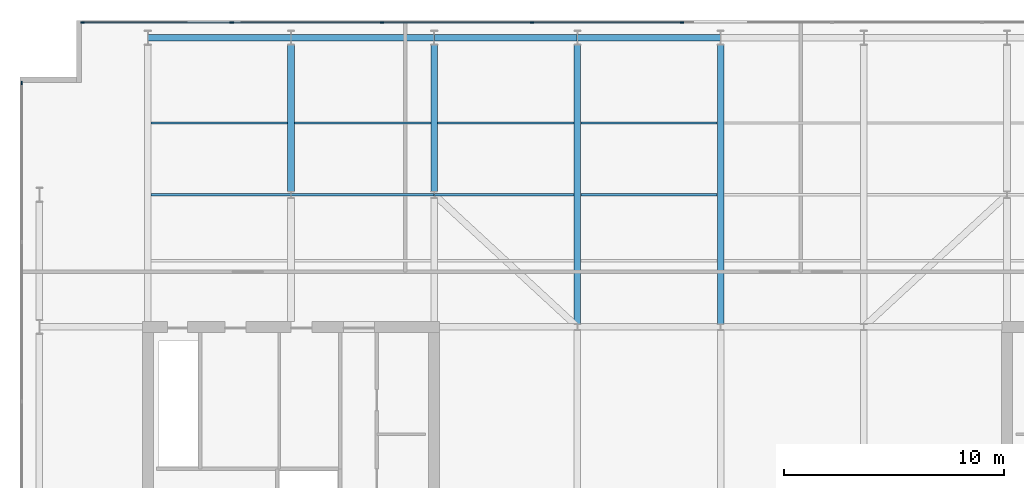
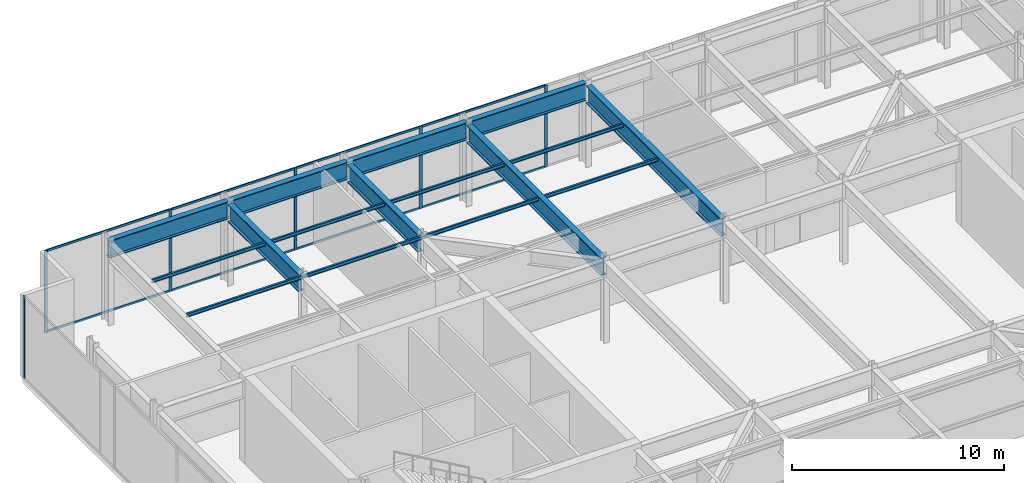
# One storey, part 11 of 23: 16 beams, 14 members, 2 elements without a shape of their own.
"""IFC4 building model written with IfcOpenShell, lengths in metres."""

from ifc_helpers import new_model, si_unit, direction, frame, origin, origin_2d, place, context, subcontext, project, spatial, rectangle, i_section, extrude, material, layer, layer_set, material_profile, profile_set, type_object, element, aggregate, save


model = new_model("IFC4")

# Units and contexts
model_context = context("Model", 3, precision=1e-05, world=origin(), true_north=direction((0.0, 1.0)))
body_context = subcontext(model_context, "Body", "Model", "MODEL_VIEW")
ifc_project = project(units=[si_unit("LENGTHUNIT", "METRE"), si_unit("AREAUNIT", "SQUARE_METRE"), si_unit("VOLUMEUNIT", "CUBIC_METRE"), si_unit("PLANEANGLEUNIT", "RADIAN"), si_unit("MASSUNIT", "GRAM", prefix="KILO")], contexts=[model_context])

# Site, building, storey
site_placement = place(None, origin())
site = spatial("IfcSite", under=ifc_project, at=site_placement, CompositionType="ELEMENT")
building_placement = place(site_placement, origin())
building = spatial("IfcBuilding", under=site, at=building_placement, Name="Putna Gate Headquarters", CompositionType="ELEMENT")
storey_placement = place(building_placement, frame((0.0, 0.0, 310.39990234375)))
storey = spatial("IfcBuildingStorey", under=building, at=storey_placement, Name="L78", CompositionType="ELEMENT", Elevation=310.39990234375)

# Beams
ifc_material_1 = material(Name="Steel S355J2", Category="steel")
ifc_material_profile_1 = material_profile(ifc_material_1, i_section(OverallWidth=0.10009765625, OverallDepth=0.199951171875, WebThickness=0.005615234375, FlangeThickness=0.008544921875, at=origin_2d()), Name="Steel S355J2")
ifc_profile_set_1 = profile_set([ifc_material_profile_1], Name="Steel S355J2")
beam_type_1 = type_object("IfcBeamType", Name="BM-SEC-PLT-IPE200", PredefinedType="JOIST", material=ifc_profile_set_1)
beam_1_placement = place(storey_placement, frame((13.155029296875, 39.0, 4.6201171875), z_axis=(1.0, 0.0, 0.0), x_axis=(0.0, 1.0, 0.0)))
element("IfcBeam", 1, at=beam_1_placement, inside=storey, type_object=beam_type_1, Name="L78 North Secondary Beam 1", PredefinedType="JOIST", context=body_context, shape_type="SweptSolid", body=[
    extrude(i_section(OverallWidth=0.10009765625, OverallDepth=0.199951171875, WebThickness=0.005615234375, FlangeThickness=0.008544921875, at=origin_2d()), origin(), (0.0, 0.0, 1.0), 6.3388671875),
])
beam_2_placement = place(storey_placement, frame((13.155029296875, 42.25, 4.6201171875), z_axis=(1.0, 0.0, 0.0), x_axis=(0.0, 1.0, 0.0)))
element("IfcBeam", 2, at=beam_2_placement, inside=storey, type_object=beam_type_1, Name="L78 North Secondary Beam 1", PredefinedType="JOIST", context=body_context, shape_type="SweptSolid", body=[
    extrude(i_section(OverallWidth=0.10009765625, OverallDepth=0.199951171875, WebThickness=0.005615234375, FlangeThickness=0.008544921875, at=origin_2d()), origin(), (0.0, 0.0, 1.0), 6.18994140625),
])
beam_3_placement = place(storey_placement, frame((19.506103515625, 39.0, 4.6201171875), z_axis=(1.0, 0.0, 0.0), x_axis=(0.0, 1.0, 0.0)))
element("IfcBeam", 3, at=beam_3_placement, inside=storey, type_object=beam_type_1, Name="L78 North Secondary Beam 2", PredefinedType="JOIST", context=body_context, shape_type="SweptSolid", body=[
    extrude(i_section(OverallWidth=0.10009765625, OverallDepth=0.199951171875, WebThickness=0.005615234375, FlangeThickness=0.008544921875, at=origin_2d()), origin(), (0.0, 0.0, 1.0), 6.48779296875),
])
beam_4_placement = place(storey_placement, frame((19.655029296875, 42.25, 4.6201171875), z_axis=(1.0, 0.0, 0.0), x_axis=(0.0, 1.0, 0.0)))
element("IfcBeam", 4, at=beam_4_placement, inside=storey, type_object=beam_type_1, Name="L78 North Secondary Beam 2", PredefinedType="JOIST", context=body_context, shape_type="SweptSolid", body=[
    extrude(i_section(OverallWidth=0.10009765625, OverallDepth=0.199951171875, WebThickness=0.005615234375, FlangeThickness=0.008544921875, at=origin_2d()), origin(), (0.0, 0.0, 1.0), 6.18994140625),
])
beam_5_placement = place(storey_placement, frame((26.006103515625, 39.0, 4.6201171875), z_axis=(1.0, 0.0, 0.0), x_axis=(0.0, 1.0, 0.0)))
element("IfcBeam", 5, at=beam_5_placement, inside=storey, type_object=beam_type_1, Name="L78 North Secondary Beam 3", PredefinedType="JOIST", context=body_context, shape_type="SweptSolid", body=[
    extrude(i_section(OverallWidth=0.10009765625, OverallDepth=0.199951171875, WebThickness=0.005615234375, FlangeThickness=0.008544921875, at=origin_2d()), origin(), (0.0, 0.0, 1.0), 6.3388671875),
])
for number, where, z_axis, x_axis, name in (
    (6, (26.155029296875, 42.25, 4.6201171875), (1.0, 0.0, 0.0), (0.0, 1.0, 0.0), "L78 North Secondary Beam 3"),
    (7, (32.655029296875, 39.0, 4.6201171875), (1.0, 0.0, 0.0), (0.0, 1.0, 0.0), "L78 North Secondary Beam 4"),
    (8, (32.655029296875, 42.25, 4.6201171875), (1.0, 0.0, 0.0), (0.0, 1.0, 0.0), "L78 North Secondary Beam 4"),
):
    element("IfcBeam", number, at=place(storey_placement, frame(where, z_axis=z_axis, x_axis=x_axis)), inside=storey, type_object=beam_type_1, Name=name, PredefinedType="JOIST", context=body_context, shape_type="SweptSolid", body=[
        extrude(i_section(OverallWidth=0.10009765625, OverallDepth=0.199951171875, WebThickness=0.005615234375, FlangeThickness=0.008544921875, at=origin_2d()), origin(), (0.0, 0.0, 1.0), 6.18994140625),
    ])
ifc_material_2 = material(Name="Steel S460M", Category="steel")
ifc_material_profile_2 = material_profile(ifc_material_2, i_section(OverallWidth=0.302001953125, OverallDepth=1.008056640625, WebThickness=0.02099609375, FlangeThickness=0.0400390625, at=origin_2d()), Name="Steel S460M")
ifc_profile_set_2 = profile_set([ifc_material_profile_2], Name="Steel S460M")
beam_type_2 = type_object("IfcBeamType", Name="BM-TG-HEM1000", PredefinedType="USERDEFINED", material=ifc_profile_set_2)
for number, where, z_axis, x_axis, name in (
    (9, (19.5, 39.137939453125, 4.216064453125), (0.0, 1.0, 0.0), (-1.0, 0.0, 0.0), "L78 North Primary Girder X19-2"),
    (10, (26.0, 39.137939453125, 4.216064453125), (0.0, 1.0, 0.0), (-1.0, 0.0, 0.0), "L78 North Primary Girder X26-2"),
):
    element("IfcBeam", number, at=place(storey_placement, frame(where, z_axis=z_axis, x_axis=x_axis)), inside=storey, type_object=beam_type_2, Name=name, ObjectType="GIRDER", PredefinedType="USERDEFINED", context=body_context, shape_type="SweptSolid", body=[
        extrude(i_section(OverallWidth=0.302001953125, OverallDepth=1.008056640625, WebThickness=0.02099609375, FlangeThickness=0.0400390625, at=origin_2d()), origin(), (0.0, 0.0, 1.0), 6.66015625),
    ])
for number, where, z_axis, x_axis, name in (
    (11, (32.5, 33.137939453125, 4.216064453125), (0.0, 1.0, 0.0), (-1.0, 0.0, 0.0), "L78 North Primary Girder X32"),
    (12, (39.0, 33.137939453125, 4.216064453125), (0.0, 1.0, 0.0), (-1.0, 0.0, 0.0), "L78 North Primary Girder X39"),
):
    element("IfcBeam", number, at=place(storey_placement, frame(where, z_axis=z_axis, x_axis=x_axis)), inside=storey, type_object=beam_type_2, Name=name, ObjectType="GIRDER", PredefinedType="USERDEFINED", context=body_context, shape_type="SweptSolid", body=[
        extrude(i_section(OverallWidth=0.302001953125, OverallDepth=1.008056640625, WebThickness=0.02099609375, FlangeThickness=0.0400390625, at=origin_2d()), origin(), (0.0, 0.0, 1.0), 12.66015625),
    ])
ifc_material_profile_3 = material_profile(ifc_material_2, i_section(OverallWidth=0.302001953125, OverallDepth=1.008056640625, WebThickness=0.02099609375, FlangeThickness=0.0400390625, at=origin_2d()), Name="Steel S460M")
ifc_profile_set_3 = profile_set([ifc_material_profile_3], Name="Steel S460M")
beam_type_3 = type_object("IfcBeamType", Name="BM-TG-HEM1000-EXT", PredefinedType="USERDEFINED", material=ifc_profile_set_3)
for number, where, z_axis, x_axis, name in (
    (13, (13.006103515625, 46.1201171875, 4.216064453125), (1.0, 0.0, 0.0), (0.0, 1.0, 0.0), "L78 N Perimeter Spandrel 1"),
    (14, (19.506103515625, 46.1201171875, 4.216064453125), (1.0, 0.0, 0.0), (0.0, 1.0, 0.0), "L78 N Perimeter Spandrel 2"),
    (15, (26.006103515625, 46.1201171875, 4.216064453125), (1.0, 0.0, 0.0), (0.0, 1.0, 0.0), "L78 N Perimeter Spandrel 3"),
    (16, (32.506103515625, 46.1201171875, 4.216064453125), (1.0, 0.0, 0.0), (0.0, 1.0, 0.0), "L78 N Perimeter Spandrel 4"),
):
    element("IfcBeam", number, at=place(storey_placement, frame(where, z_axis=z_axis, x_axis=x_axis)), inside=storey, type_object=beam_type_3, Name=name, ObjectType="GIRDER", PredefinedType="USERDEFINED", context=body_context, shape_type="SweptSolid", body=[
        extrude(i_section(OverallWidth=0.302001953125, OverallDepth=1.008056640625, WebThickness=0.02099609375, FlangeThickness=0.0400390625, at=origin_2d()), origin(), (0.0, 0.0, 1.0), 6.48779296875),
    ])

# Curtain wall, members
ifc_material_3 = material(Name="Anodised bronze aluminium curtain wall", Category="aluminium")
ifc_layer = layer(ifc_material_3, 0.159912109375)
ifc_layer_set = layer_set([ifc_layer], Name="Anodised bronze aluminium curtain wall")
curtain_wall_type = type_object("IfcCurtainWallType", Name="CW-SYS-CRN", PredefinedType="USERDEFINED", material=ifc_layer_set)
curtain_wall_1_placement = place(storey_placement, origin())
curtain_wall_1 = element("IfcCurtainWall", 17, at=curtain_wall_1_placement, inside=storey, type_object=curtain_wall_type, Name="L78 Acoustic Louvre North Enclosure", ObjectType="STICK CURTAIN WALL", PredefinedType="USERDEFINED")
ifc_material_4 = material(Name="Anodised bronze aluminium EN AW-6060", Category="aluminium")
ifc_material_profile_4 = material_profile(ifc_material_4, rectangle(XDim=0.06494140625, YDim=0.159912109375, at=origin_2d()), Name="Anodised bronze aluminium EN AW-6060")
ifc_profile_set_4 = profile_set([ifc_material_profile_4], Name="Anodised bronze aluminium EN AW-6060")
member_type_1 = type_object("IfcMemberType", Name="MULL-CWM-CR", PredefinedType="MULLION", material=ifc_profile_set_4)
member_1_placement = place(storey_placement, frame((10.032470703125, 46.820068359375, 0.0), z_axis=(0.0, 0.0, 1.0), x_axis=(0.0, 1.0, 0.0)))
member_1 = element("IfcMember", 18, at=member_1_placement, type_object=member_type_1, Name="CWS-CR mullion 1", PredefinedType="MULLION", context=body_context, shape_type="SweptSolid", body=[
    extrude(rectangle(XDim=0.06494140625, YDim=0.159912109375, at=origin_2d()), origin(), (0.0, 0.0, 1.0), 4.72021484375),
])
member_2_placement = place(storey_placement, frame((16.81103515625, 46.820068359375, 0.0), z_axis=(0.0, 0.0, 1.0), x_axis=(0.0, 1.0, 0.0)))
member_2 = element("IfcMember", 19, at=member_2_placement, type_object=member_type_1, Name="CWS-CR mullion 2", PredefinedType="MULLION", context=body_context, shape_type="SweptSolid", body=[
    extrude(rectangle(XDim=0.06494140625, YDim=0.159912109375, at=origin_2d()), origin(), (0.0, 0.0, 1.0), 4.72021484375),
])
member_3_placement = place(storey_placement, frame((23.622314453125, 46.820068359375, 0.0), z_axis=(0.0, 0.0, 1.0), x_axis=(0.0, 1.0, 0.0)))
member_3 = element("IfcMember", 20, at=member_3_placement, type_object=member_type_1, Name="CWS-CR mullion 3", PredefinedType="MULLION", context=body_context, shape_type="SweptSolid", body=[
    extrude(rectangle(XDim=0.06494140625, YDim=0.159912109375, at=origin_2d()), origin(), (0.0, 0.0, 1.0), 4.72021484375),
])
member_4_placement = place(storey_placement, frame((30.433349609375, 46.820068359375, 0.0), z_axis=(0.0, 0.0, 1.0), x_axis=(0.0, 1.0, 0.0)))
member_4 = element("IfcMember", 21, at=member_4_placement, type_object=member_type_1, Name="CWS-CR mullion 4", PredefinedType="MULLION", context=body_context, shape_type="SweptSolid", body=[
    extrude(rectangle(XDim=0.06494140625, YDim=0.159912109375, at=origin_2d()), origin(), (0.0, 0.0, 1.0), 4.72021484375),
])
member_5_placement = place(storey_placement, frame((37.244384765625, 46.820068359375, 0.0), z_axis=(0.0, 0.0, 1.0), x_axis=(0.0, 1.0, 0.0)))
member_5 = element("IfcMember", 22, at=member_5_placement, type_object=member_type_1, Name="CWS-CR mullion 5", PredefinedType="MULLION", context=body_context, shape_type="SweptSolid", body=[
    extrude(rectangle(XDim=0.06494140625, YDim=0.159912109375, at=origin_2d()), origin(), (0.0, 0.0, 1.0), 4.72021484375),
])

# Curtain wall, member
curtain_wall_2_placement = place(storey_placement, origin())
curtain_wall_2 = element("IfcCurtainWall", 23, at=curtain_wall_2_placement, inside=storey, type_object=curtain_wall_type, Name="L78 Acoustic Louvre West Enclosure", ObjectType="STICK CURTAIN WALL", PredefinedType="USERDEFINED")
member_6_placement = place(storey_placement, frame((7.280029296875, 44.0673828125, 0.0), z_axis=(0.0, 0.0, 1.0), x_axis=(-1.0, 0.0, 0.0)))
member_6 = element("IfcMember", 24, at=member_6_placement, type_object=member_type_1, Name="CWS-CR mullion 6", PredefinedType="MULLION", context=body_context, shape_type="SweptSolid", body=[
    extrude(rectangle(XDim=0.06494140625, YDim=0.159912109375, at=origin_2d()), origin(), (0.0, 0.0, 1.0), 4.72021484375),
])
aggregate(curtain_wall_2, [member_6])

# Member
ifc_material_profile_5 = material_profile(ifc_material_4, rectangle(XDim=0.06494140625, YDim=0.1201171875, at=origin_2d()), Name="Anodised bronze aluminium EN AW-6060")
ifc_profile_set_5 = profile_set([ifc_material_profile_5], Name="Anodised bronze aluminium EN AW-6060")
member_type_2 = type_object("IfcMemberType", Name="TRAN-CWT-CR", PredefinedType="USERDEFINED", material=ifc_profile_set_5)
member_7_placement = place(storey_placement, frame((10.06494140625, 46.820068359375, 0.03271484375), z_axis=(1.0, 0.0, 0.0), x_axis=(0.0, 1.0, 0.0)))
member_7 = element("IfcMember", 25, at=member_7_placement, type_object=member_type_2, Name="CWS-CR transom 1.1", ObjectType="TRANSOM", PredefinedType="USERDEFINED", context=body_context, shape_type="SweptSolid", body=[
    extrude(rectangle(XDim=0.06494140625, YDim=0.1201171875, at=origin_2d()), origin(), (0.0, 0.0, 1.0), 6.713623046875),
])

member_8_placement = place(storey_placement, frame((10.06494140625, 46.820068359375, 4.6875), z_axis=(1.0, 0.0, 0.0), x_axis=(0.0, 1.0, 0.0)))
member_8 = element("IfcMember", 26, at=member_8_placement, type_object=member_type_2, Name="CWS-CR transom 1.2", ObjectType="TRANSOM", PredefinedType="USERDEFINED", context=body_context, shape_type="SweptSolid", body=[
    extrude(rectangle(XDim=0.06494140625, YDim=0.1201171875, at=origin_2d()), origin(), (0.0, 0.0, 1.0), 6.713623046875),
])

member_9_placement = place(storey_placement, frame((16.843505859375, 46.820068359375, 0.03271484375), z_axis=(1.0, 0.0, 0.0), x_axis=(0.0, 1.0, 0.0)))
member_9 = element("IfcMember", 27, at=member_9_placement, type_object=member_type_2, Name="CWS-CR transom 2.1", ObjectType="TRANSOM", PredefinedType="USERDEFINED", context=body_context, shape_type="SweptSolid", body=[
    extrude(rectangle(XDim=0.06494140625, YDim=0.1201171875, at=origin_2d()), origin(), (0.0, 0.0, 1.0), 6.746337890625),
])

member_10_placement = place(storey_placement, frame((16.843505859375, 46.820068359375, 4.6875), z_axis=(1.0, 0.0, 0.0), x_axis=(0.0, 1.0, 0.0)))
member_10 = element("IfcMember", 28, at=member_10_placement, type_object=member_type_2, Name="CWS-CR transom 2.2", ObjectType="TRANSOM", PredefinedType="USERDEFINED", context=body_context, shape_type="SweptSolid", body=[
    extrude(rectangle(XDim=0.06494140625, YDim=0.1201171875, at=origin_2d()), origin(), (0.0, 0.0, 1.0), 6.746337890625),
])

member_11_placement = place(storey_placement, frame((23.65478515625, 46.820068359375, 0.03271484375), z_axis=(1.0, 0.0, 0.0), x_axis=(0.0, 1.0, 0.0)))
member_11 = element("IfcMember", 29, at=member_11_placement, type_object=member_type_2, Name="CWS-CR transom 3.1", ObjectType="TRANSOM", PredefinedType="USERDEFINED", context=body_context, shape_type="SweptSolid", body=[
    extrude(rectangle(XDim=0.06494140625, YDim=0.1201171875, at=origin_2d()), origin(), (0.0, 0.0, 1.0), 6.74609375),
])

member_12_placement = place(storey_placement, frame((23.65478515625, 46.820068359375, 4.6875), z_axis=(1.0, 0.0, 0.0), x_axis=(0.0, 1.0, 0.0)))
member_12 = element("IfcMember", 30, at=member_12_placement, type_object=member_type_2, Name="CWS-CR transom 3.2", ObjectType="TRANSOM", PredefinedType="USERDEFINED", context=body_context, shape_type="SweptSolid", body=[
    extrude(rectangle(XDim=0.06494140625, YDim=0.1201171875, at=origin_2d()), origin(), (0.0, 0.0, 1.0), 6.74609375),
])

member_13_placement = place(storey_placement, frame((30.4658203125, 46.820068359375, 0.03271484375), z_axis=(1.0, 0.0, 0.0), x_axis=(0.0, 1.0, 0.0)))
member_13 = element("IfcMember", 31, at=member_13_placement, type_object=member_type_2, Name="CWS-CR transom 4.1", ObjectType="TRANSOM", PredefinedType="USERDEFINED", context=body_context, shape_type="SweptSolid", body=[
    extrude(rectangle(XDim=0.06494140625, YDim=0.1201171875, at=origin_2d()), origin(), (0.0, 0.0, 1.0), 6.74609375),
])

member_14_placement = place(storey_placement, frame((30.4658203125, 46.820068359375, 4.6875), z_axis=(1.0, 0.0, 0.0), x_axis=(0.0, 1.0, 0.0)))
member_14 = element("IfcMember", 32, at=member_14_placement, type_object=member_type_2, Name="CWS-CR transom 4.2", ObjectType="TRANSOM", PredefinedType="USERDEFINED", context=body_context, shape_type="SweptSolid", body=[
    extrude(rectangle(XDim=0.06494140625, YDim=0.1201171875, at=origin_2d()), origin(), (0.0, 0.0, 1.0), 6.74609375),
])

aggregate(curtain_wall_1, [member_1, member_2, member_3, member_4, member_5, member_7, member_8, member_9, member_10, member_11, member_12, member_13, member_14])

save(model, "model.ifc")
